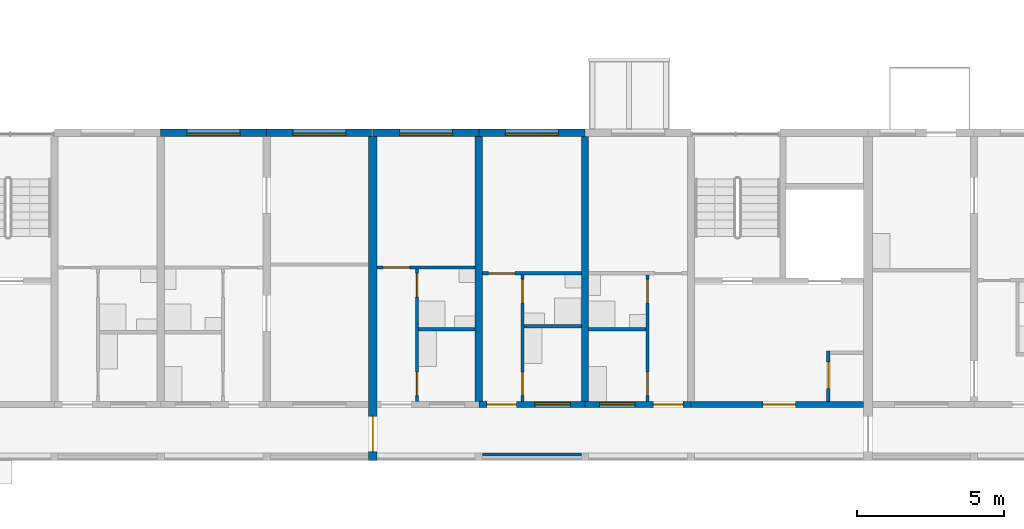
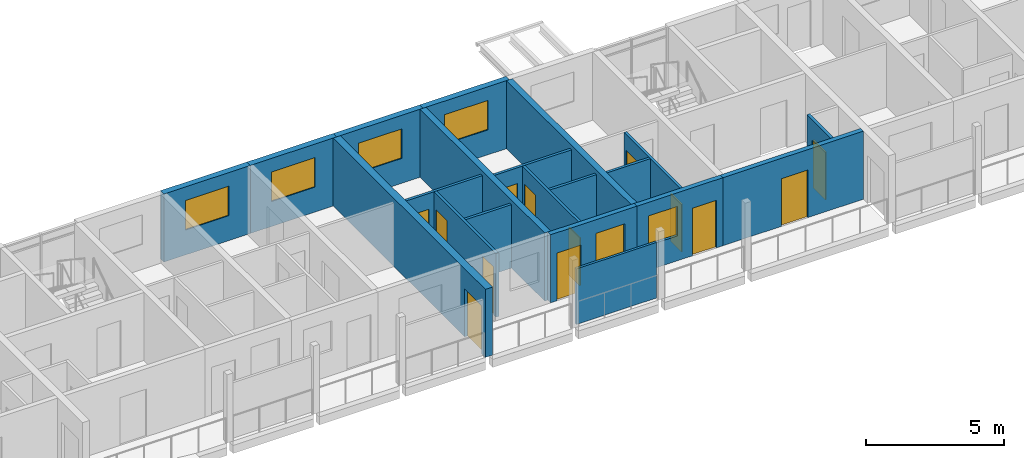
# One storey, part 49 of 100: 20 walls, 13 doors, 6 windows, 19 openings.
"""IFC4 building model written with IfcOpenShell, lengths in metres."""

from ifc_helpers import new_model, si_unit, direction, frame, frame_2d, origin, place, context, subcontext, project, spatial, rectangle, extrude, material, layer, layer_set, type_object, element, fill, save


model = new_model("IFC4")

# Units and contexts
model_context = context("Model", 3, precision=1e-05, world=origin(), true_north=direction((0.0, 1.0)))
body_context = subcontext(model_context, "Body", "Model", "MODEL_VIEW")
ifc_project = project(units=[si_unit("LENGTHUNIT", "METRE"), si_unit("AREAUNIT", "SQUARE_METRE"), si_unit("VOLUMEUNIT", "CUBIC_METRE"), si_unit("PLANEANGLEUNIT", "RADIAN"), si_unit("MASSUNIT", "GRAM", prefix="KILO")], contexts=[model_context])

# Site, building, storey
site_placement = place(None, origin())
site = spatial("IfcSite", under=ifc_project, at=site_placement, CompositionType="ELEMENT")
building_placement = place(site_placement, origin())
building = spatial("IfcBuilding", under=site, at=building_placement, Name="Ridgestep Commons", CompositionType="ELEMENT")
storey_placement = place(building_placement, frame((0.0, 0.0, 9.0)))
storey = spatial("IfcBuildingStorey", under=building, at=storey_placement, Name="L03", CompositionType="ELEMENT", Elevation=9.0)

# Wall, opening, door
ifc_material_1 = material(Name="Concrete C30/37", Category="concrete")
ifc_layer_1 = layer(ifc_material_1, 0.199951171875)
ifc_layer_set_1 = layer_set([ifc_layer_1], Name="Core south wall 200")
wall_type_1 = type_object("IfcWallType", Name="Core south wall 200", PredefinedType="SHEAR", material=ifc_layer_set_1)
wall_1_placement = place(storey_placement, frame((191.199951171875, 13.64990234375, 0.0), z_axis=(0.0, 0.0, 1.0), x_axis=(1.0, 0.0, 0.0)))
wall_1 = element("IfcWall", 1, at=wall_1_placement, inside=storey, type_object=wall_type_1, Name="Core south wall D3C L03", PredefinedType="SHEAR", context=body_context, shape_type="SweptSolid", body=[
    extrude(rectangle(XDim=5.85009765625, YDim=0.199951171875, at=frame_2d((2.925048828125, 0.0))), origin(), (0.0, 0.0, 1.0), 3.0),
])
opening_1_placement = place(wall_1_placement, frame((2.4375, 0.0, 0.0)))
opening_1 = element("IfcOpeningElement", 2, at=opening_1_placement, cuts=wall_1, Name="Opening D3C/03/1", PredefinedType="OPENING", context=body_context, shape_type="SweptSolid", body=[
    extrude(rectangle(XDim=1.10009765625, YDim=2.10009765625, at=frame_2d((0.550048828125, 1.050048828125))), frame((0.0, 0.10986328125, 0.0), z_axis=(0.0, -1.0, 0.0), x_axis=(1.0, 0.0, 0.0)), (0.0, 0.0, 1.0), 0.219970703125),
])
ifc_material_2 = material(Name="Steel fire door", Category="steel")
door_type_1 = type_object("IfcDoorType", Name="Lobby door 1100 x 2100 FD60", OperationType="NOTDEFINED", PredefinedType="DOOR", material=ifc_material_2)
door_1_placement = place(opening_1_placement, origin())
door_1 = element("IfcDoor", 3, at=door_1_placement, inside=storey, type_object=door_type_1, Name="Lobby door D3C/03/1", OperationType="SINGLE_SWING_LEFT", OverallHeight=2.10009765625, OverallWidth=1.10009765625, PredefinedType="DOOR", context=body_context, shape_type="SweptSolid", body=[
    extrude(rectangle(XDim=1.10009765625, YDim=2.10009765625, at=frame_2d((0.550048828125, 1.050048828125))), frame((0.0, 0.02490234375, 0.0), z_axis=(0.0, -1.0, 0.0), x_axis=(1.0, 0.0, 0.0)), (0.0, 0.0, 1.0), 0.050048828125),
])
fill(opening_1, door_1)

ifc_material_3 = material(Name="Concrete C30/37", Category="concrete")
ifc_layer_2 = layer(ifc_material_3, 0.1201171875)
ifc_layer_set_2 = layer_set([ifc_layer_2], Name="Core wall 120")
wall_type_2 = type_object("IfcWallType", Name="Core wall 120", PredefinedType="SHEAR", material=ifc_layer_set_2)
wall_2_placement = place(storey_placement, frame((195.860107421875, 13.75, 0.0), z_axis=(0.0, 0.0, 1.0), x_axis=(0.0, 1.0, 0.0)))
wall_2 = element("IfcWall", 4, at=wall_2_placement, inside=storey, type_object=wall_type_2, Name="Core riser w wall D3C L03", PredefinedType="SHEAR", context=body_context, shape_type="SweptSolid", body=[
    extrude(rectangle(XDim=1.719970703125, YDim=0.1201171875, at=frame_2d((0.85986328125, 0.0))), origin(), (0.0, 0.0, 1.0), 3.0),
])
opening_2_placement = place(wall_2_placement, frame((0.449951171875, 0.0, 0.0)))
opening_2 = element("IfcOpeningElement", 5, at=opening_2_placement, cuts=wall_2, Name="Opening D3C/03/4", PredefinedType="OPENING", context=body_context, shape_type="SweptSolid", body=[
    extrude(rectangle(XDim=0.89990234375, YDim=2.10009765625, at=frame_2d((0.449951171875, 1.050048828125))), frame((0.0, 0.070068359375, 0.0), z_axis=(0.0, -1.0, 0.0), x_axis=(1.0, 0.0, 0.0)), (0.0, 0.0, 1.0), 0.14013671875),
])
ifc_material_4 = material(Name="Steel fire door", Category="steel")
door_type_2 = type_object("IfcDoorType", Name="Riser door 900 x 2100 FD60", OperationType="NOTDEFINED", PredefinedType="DOOR", material=ifc_material_4)
door_2_placement = place(opening_2_placement, origin())
door_2 = element("IfcDoor", 6, at=door_2_placement, inside=storey, type_object=door_type_2, Name="Riser door D3C/03/4", OperationType="SINGLE_SWING_LEFT", OverallHeight=2.10009765625, OverallWidth=0.89990234375, PredefinedType="DOOR", context=body_context, shape_type="SweptSolid", body=[
    extrude(rectangle(XDim=0.89990234375, YDim=2.10009765625, at=frame_2d((0.449951171875, 1.050048828125))), frame((0.0, 0.02490234375, 0.0), z_axis=(0.0, -1.0, 0.0), x_axis=(1.0, 0.0, 0.0)), (0.0, 0.0, 1.0), 0.050048828125),
])
fill(opening_2, door_2)

# Walls
ifc_material_5 = material(Name="Precast concrete C40/50", Category="concrete")
ifc_layer_3 = layer(ifc_material_5, 0.25)
ifc_layer_set_3 = layer_set([ifc_layer_3], Name="Cross wall 250")
wall_type_3 = type_object("IfcWallType", Name="Cross wall 250", PredefinedType="SHEAR", material=ifc_layer_set_3)
for number, where, z_axis, x_axis, name in (
    (7, (184.0, 13.75, 0.0), (0.0, 0.0, 1.0), (0.0, 1.0, 0.0), "Cross wall D-03-1840"),
    (8, (187.60009765625, 13.75, 0.0), (0.0, 0.0, 1.0), (0.0, 1.0, 0.0), "Cross wall D-03-1876"),
):
    element("IfcWall", number, at=place(storey_placement, frame(where, z_axis=z_axis, x_axis=x_axis)), inside=storey, type_object=wall_type_3, Name=name, PredefinedType="SHEAR", context=body_context, shape_type="SweptSolid", body=[
        extrude(rectangle(XDim=9.0, YDim=0.25, at=frame_2d((4.5, 0.0))), origin(), (0.0, 0.0, 1.0), 3.0),
    ])

# Wall, opening, door
ifc_material_6 = material(Name="Precast concrete C40/50", Category="concrete")
ifc_layer_4 = layer(ifc_material_6, 0.300048828125)
ifc_layer_set_4 = layer_set([ifc_layer_4], Name="Division wall 300")
wall_type_4 = type_object("IfcWallType", Name="Division wall 300", PredefinedType="SHEAR", material=ifc_layer_set_4)
wall_3_placement = place(storey_placement, frame((180.39990234375, 11.75, 0.0), z_axis=(0.0, 0.0, 1.0), x_axis=(0.0, 1.0, 0.0)))
wall_3 = element("IfcWall", 9, at=wall_3_placement, inside=storey, type_object=wall_type_4, Name="Cross wall D-03-1804", PredefinedType="SHEAR", context=body_context, shape_type="SweptSolid", body=[
    extrude(rectangle(XDim=11.0, YDim=0.300048828125, at=frame_2d((5.5, 0.0))), origin(), (0.0, 0.0, 1.0), 3.0),
])
opening_3_placement = place(wall_3_placement, frame((0.300048828125, 0.0, 0.0)))
opening_3 = element("IfcOpeningElement", 10, at=opening_3_placement, cuts=wall_3, Name="Opening D/03/G1804", PredefinedType="OPENING", context=body_context, shape_type="SweptSolid", body=[
    extrude(rectangle(XDim=1.199951171875, YDim=2.10009765625, at=frame_2d((0.60009765625, 1.050048828125))), frame((0.0, 0.159912109375, 0.0), z_axis=(0.0, -1.0, 0.0), x_axis=(1.0, 0.0, 0.0)), (0.0, 0.0, 1.0), 0.320068359375),
])
ifc_material_7 = material(Name="Steel fire door", Category="steel")
door_type_3 = type_object("IfcDoorType", Name="Division fire door 1200 x 2100 EI 240", OperationType="DOUBLE_DOOR_SINGLE_SWING", PredefinedType="DOOR", material=ifc_material_7)
door_3_placement = place(opening_3_placement, origin())
door_3 = element("IfcDoor", 11, at=door_3_placement, inside=storey, type_object=door_type_3, Name="Division fire door D/03/G1804", OperationType="DOUBLE_DOOR_SINGLE_SWING", OverallHeight=2.10009765625, OverallWidth=1.199951171875, PredefinedType="DOOR", context=body_context, shape_type="SweptSolid", body=[
    extrude(rectangle(XDim=1.199951171875, YDim=2.10009765625, at=frame_2d((0.60009765625, 1.050048828125))), frame((0.0, 0.02490234375, 0.0), z_axis=(0.0, -1.0, 0.0), x_axis=(1.0, 0.0, 0.0)), (0.0, 0.0, 1.0), 0.050048828125),
])
fill(opening_3, door_3)

# Wall, opening, window
ifc_material_8 = material(Name="Precast concrete C40/50", Category="concrete")
ifc_layer_5 = layer(ifc_material_8, 0.25)
ifc_layer_set_5 = layer_set([ifc_layer_5], Name="North facade panel 250")
wall_type_5 = type_object("IfcWallType", Name="North facade panel 250", PredefinedType="SOLIDWALL", material=ifc_layer_set_5)
wall_4_placement = place(storey_placement, frame((173.199951171875, 22.875, 0.0), z_axis=(0.0, 0.0, 1.0), x_axis=(1.0, 0.0, 0.0)))
wall_4 = element("IfcWall", 12, at=wall_4_placement, inside=storey, type_object=wall_type_5, Name="North panel D2T2 L03", PredefinedType="SOLIDWALL", context=body_context, shape_type="SweptSolid", body=[
    extrude(rectangle(XDim=3.60009765625, YDim=0.25, at=frame_2d((1.800048828125, 0.0))), origin(), (0.0, 0.0, 1.0), 3.0),
])
opening_4_placement = place(wall_4_placement, frame((0.89990234375, 0.0, 1.10009765625)))
opening_4 = element("IfcOpeningElement", 13, at=opening_4_placement, cuts=wall_4, Name="Opening W18", PredefinedType="OPENING", context=body_context, shape_type="SweptSolid", body=[
    extrude(rectangle(XDim=1.800048828125, YDim=1.300048828125, at=frame_2d((0.89990234375, 0.64990234375))), frame((0.0, 0.135009765625, 0.0), z_axis=(0.0, -1.0, 0.0), x_axis=(1.0, 0.0, 0.0)), (0.0, 0.0, 1.0), 0.27001953125),
])
ifc_material_9 = material(Name="Aluminium 6063-T6 and glass", Category="aluminium")
window_type_1 = type_object("IfcWindowType", Name="Flat window 1800 x 1300", PartitioningType="DOUBLE_PANEL_VERTICAL", PredefinedType="WINDOW", material=ifc_material_9)
window_1_placement = place(opening_4_placement, origin())
window_1 = element("IfcWindow", 14, at=window_1_placement, inside=storey, type_object=window_type_1, Name="Window D2-03a 4", OverallHeight=1.300048828125, OverallWidth=1.800048828125, PartitioningType="SINGLE_PANEL", PredefinedType="WINDOW", context=body_context, shape_type="SweptSolid", body=[
    extrude(rectangle(XDim=1.800048828125, YDim=1.300048828125, at=frame_2d((0.89990234375, 0.64990234375))), frame((0.0, -0.02490234375, 0.0), z_axis=(0.0, -1.0, 0.0), x_axis=(1.0, 0.0, 0.0)), (0.0, 0.0, 1.0), 0.06005859375),
])
fill(opening_4, window_1)

wall_5_placement = place(storey_placement, frame((176.800048828125, 22.875, 0.0), z_axis=(0.0, 0.0, 1.0), x_axis=(1.0, 0.0, 0.0)))
wall_5 = element("IfcWall", 15, at=wall_5_placement, inside=storey, type_object=wall_type_5, Name="North panel D2T1 L03", PredefinedType="SOLIDWALL", context=body_context, shape_type="SweptSolid", body=[
    extrude(rectangle(XDim=3.599853515625, YDim=0.25, at=frame_2d((1.7998046875, 0.0))), origin(), (0.0, 0.0, 1.0), 3.0),
])
opening_5_placement = place(wall_5_placement, frame((0.887451171875, 0.0, 1.10009765625)))
opening_5 = element("IfcOpeningElement", 16, at=opening_5_placement, cuts=wall_5, Name="Opening W18", PredefinedType="OPENING", context=body_context, shape_type="SweptSolid", body=[
    extrude(rectangle(XDim=1.800048828125, YDim=1.300048828125, at=frame_2d((0.89990234375, 0.64990234375))), frame((0.0, 0.135009765625, 0.0), z_axis=(0.0, -1.0, 0.0), x_axis=(1.0, 0.0, 0.0)), (0.0, 0.0, 1.0), 0.27001953125),
])
window_2_placement = place(opening_5_placement, origin())
window_2 = element("IfcWindow", 17, at=window_2_placement, inside=storey, type_object=window_type_1, Name="Window D2-03a 2", OverallHeight=1.300048828125, OverallWidth=1.800048828125, PartitioningType="SINGLE_PANEL", PredefinedType="WINDOW", context=body_context, shape_type="SweptSolid", body=[
    extrude(rectangle(XDim=1.800048828125, YDim=1.300048828125, at=frame_2d((0.89990234375, 0.64990234375))), frame((0.0, -0.02490234375, 0.0), z_axis=(0.0, -1.0, 0.0), x_axis=(1.0, 0.0, 0.0)), (0.0, 0.0, 1.0), 0.06005859375),
])
fill(opening_5, window_2)

wall_6_placement = place(storey_placement, frame((180.39990234375, 22.875, 0.0), z_axis=(0.0, 0.0, 1.0), x_axis=(1.0, 0.0, 0.0)))
wall_6 = element("IfcWall", 18, at=wall_6_placement, inside=storey, type_object=wall_type_5, Name="North panel D3T1 L03", PredefinedType="SOLIDWALL", context=body_context, shape_type="SweptSolid", body=[
    extrude(rectangle(XDim=3.60009765625, YDim=0.25, at=frame_2d((1.800048828125, 0.0))), origin(), (0.0, 0.0, 1.0), 3.0),
])
opening_6_placement = place(wall_6_placement, frame((0.91259765625, 0.0, 1.10009765625)))
opening_6 = element("IfcOpeningElement", 19, at=opening_6_placement, cuts=wall_6, Name="Opening W18", PredefinedType="OPENING", context=body_context, shape_type="SweptSolid", body=[
    extrude(rectangle(XDim=1.800048828125, YDim=1.300048828125, at=frame_2d((0.89990234375, 0.64990234375))), frame((0.0, 0.135009765625, 0.0), z_axis=(0.0, -1.0, 0.0), x_axis=(1.0, 0.0, 0.0)), (0.0, 0.0, 1.0), 0.27001953125),
])
window_3_placement = place(opening_6_placement, origin())
window_3 = element("IfcWindow", 20, at=window_3_placement, inside=storey, type_object=window_type_1, Name="Window D3-03a 2", OverallHeight=1.300048828125, OverallWidth=1.800048828125, PartitioningType="SINGLE_PANEL", PredefinedType="WINDOW", context=body_context, shape_type="SweptSolid", body=[
    extrude(rectangle(XDim=1.800048828125, YDim=1.300048828125, at=frame_2d((0.89990234375, 0.64990234375))), frame((0.0, -0.02490234375, 0.0), z_axis=(0.0, -1.0, 0.0), x_axis=(1.0, 0.0, 0.0)), (0.0, 0.0, 1.0), 0.06005859375),
])
fill(opening_6, window_3)

wall_7_placement = place(storey_placement, frame((184.0, 22.875, 0.0), z_axis=(0.0, 0.0, 1.0), x_axis=(1.0, 0.0, 0.0)))
wall_7 = element("IfcWall", 21, at=wall_7_placement, inside=storey, type_object=wall_type_5, Name="North panel D3T2 L03", PredefinedType="SOLIDWALL", context=body_context, shape_type="SweptSolid", body=[
    extrude(rectangle(XDim=3.60009765625, YDim=0.25, at=frame_2d((1.800048828125, 0.0))), origin(), (0.0, 0.0, 1.0), 3.0),
])
opening_7_placement = place(wall_7_placement, frame((0.89990234375, 0.0, 1.10009765625)))
opening_7 = element("IfcOpeningElement", 22, at=opening_7_placement, cuts=wall_7, Name="Opening W18", PredefinedType="OPENING", context=body_context, shape_type="SweptSolid", body=[
    extrude(rectangle(XDim=1.800048828125, YDim=1.300048828125, at=frame_2d((0.89990234375, 0.64990234375))), frame((0.0, 0.135009765625, 0.0), z_axis=(0.0, -1.0, 0.0), x_axis=(1.0, 0.0, 0.0)), (0.0, 0.0, 1.0), 0.27001953125),
])
window_4_placement = place(opening_7_placement, origin())
window_4 = element("IfcWindow", 23, at=window_4_placement, inside=storey, type_object=window_type_1, Name="Window D3-03b 2", OverallHeight=1.300048828125, OverallWidth=1.800048828125, PartitioningType="SINGLE_PANEL", PredefinedType="WINDOW", context=body_context, shape_type="SweptSolid", body=[
    extrude(rectangle(XDim=1.800048828125, YDim=1.300048828125, at=frame_2d((0.89990234375, 0.64990234375))), frame((0.0, -0.02490234375, 0.0), z_axis=(0.0, -1.0, 0.0), x_axis=(1.0, 0.0, 0.0)), (0.0, 0.0, 1.0), 0.06005859375),
])
fill(opening_7, window_4)

# Wall, openings, doors
ifc_material_10 = material(Name="Common brick 110 mm", Category="masonry")
ifc_layer_6 = layer(ifc_material_10, 0.110107421875)
ifc_layer_set_6 = layer_set([ifc_layer_6], Name="Partition 110")
wall_type_6 = type_object("IfcWallType", Name="Partition 110", PredefinedType="PARTITIONING", material=ifc_layer_set_6)
wall_8_placement = place(storey_placement, frame((181.905029296875, 13.75, 0.0), z_axis=(0.0, 0.0, 1.0), x_axis=(0.0, 1.0, 0.0)))
wall_8 = element("IfcWall", 24, at=wall_8_placement, inside=storey, type_object=wall_type_6, Name="Partition D3-03a", PredefinedType="PARTITIONING", context=body_context, shape_type="SweptSolid", body=[
    extrude(rectangle(XDim=4.5, YDim=0.110107421875, at=frame_2d((2.25, 0.0))), origin(), (0.0, 0.0, 1.0), 2.800048828125),
])
opening_8_placement = place(wall_8_placement, frame((0.199951171875, 0.0, 0.0)))
opening_8 = element("IfcOpeningElement", 25, at=opening_8_placement, cuts=wall_8, Name="Opening D3-03a/2", PredefinedType="OPENING", context=body_context, shape_type="SweptSolid", body=[
    extrude(rectangle(XDim=0.800048828125, YDim=2.10009765625, at=frame_2d((0.39990234375, 1.050048828125))), frame((0.0, 0.06494140625, 0.0), z_axis=(0.0, -1.0, 0.0), x_axis=(1.0, 0.0, 0.0)), (0.0, 0.0, 1.0), 0.130126953125),
])
opening_9_placement = place(wall_8_placement, frame((3.550048828125, 0.0, 0.0)))
opening_9 = element("IfcOpeningElement", 26, at=opening_9_placement, cuts=wall_8, Name="Opening D3-03a/3", PredefinedType="OPENING", context=body_context, shape_type="SweptSolid", body=[
    extrude(rectangle(XDim=0.800048828125, YDim=2.10009765625, at=frame_2d((0.39990234375, 1.050048828125))), frame((0.0, 0.06494140625, 0.0), z_axis=(0.0, -1.0, 0.0), x_axis=(1.0, 0.0, 0.0)), (0.0, 0.0, 1.0), 0.130126953125),
])
ifc_material_11 = material(Name="Timber door leaf", Category="wood")
door_type_4 = type_object("IfcDoorType", Name="Internal door 800 x 2100", OperationType="NOTDEFINED", PredefinedType="DOOR", material=ifc_material_11)
door_4_placement = place(opening_8_placement, origin())
door_4 = element("IfcDoor", 27, at=door_4_placement, inside=storey, type_object=door_type_4, Name="Internal door D3-03a/2", OperationType="SINGLE_SWING_RIGHT", OverallHeight=2.10009765625, OverallWidth=0.800048828125, PredefinedType="DOOR", context=body_context, shape_type="SweptSolid", body=[
    extrude(rectangle(XDim=0.800048828125, YDim=2.10009765625, at=frame_2d((0.39990234375, 1.050048828125))), frame((0.0, 0.02490234375, 0.0), z_axis=(0.0, -1.0, 0.0), x_axis=(1.0, 0.0, 0.0)), (0.0, 0.0, 1.0), 0.050048828125),
])
fill(opening_8, door_4)
door_5_placement = place(opening_9_placement, origin())
door_5 = element("IfcDoor", 28, at=door_5_placement, inside=storey, type_object=door_type_4, Name="Internal door D3-03a/3", OperationType="SINGLE_SWING_LEFT", OverallHeight=2.10009765625, OverallWidth=0.800048828125, PredefinedType="DOOR", context=body_context, shape_type="SweptSolid", body=[
    extrude(rectangle(XDim=0.800048828125, YDim=2.10009765625, at=frame_2d((0.39990234375, 1.050048828125))), frame((0.0, 0.02490234375, 0.0), z_axis=(0.0, -1.0, 0.0), x_axis=(1.0, 0.0, 0.0)), (0.0, 0.0, 1.0), 0.050048828125),
])
fill(opening_9, door_5)

# Wall
wall_9_placement = place(storey_placement, frame((181.9599609375, 16.205078125, 0.0), z_axis=(0.0, 0.0, 1.0), x_axis=(1.0, 0.0, 0.0)))
element("IfcWall", 29, at=wall_9_placement, inside=storey, type_object=wall_type_6, Name="Partition D3-03a", PredefinedType="PARTITIONING", context=body_context, shape_type="SweptSolid", body=[
    extrude(rectangle(XDim=1.9150390625, YDim=0.110107421875, at=frame_2d((0.95751953125, 0.0))), origin(), (0.0, 0.0, 1.0), 2.800048828125),
])

# Wall, opening, door
wall_10_placement = place(storey_placement, frame((180.550048828125, 18.304931640625, 0.0), z_axis=(0.0, 0.0, 1.0), x_axis=(1.0, 0.0, 0.0)))
wall_10 = element("IfcWall", 30, at=wall_10_placement, inside=storey, type_object=wall_type_6, Name="Partition D3-03a", PredefinedType="PARTITIONING", context=body_context, shape_type="SweptSolid", body=[
    extrude(rectangle(XDim=3.324951171875, YDim=0.110107421875, at=frame_2d((1.66259765625, 0.0))), origin(), (0.0, 0.0, 1.0), 2.800048828125),
])
opening_10_placement = place(wall_10_placement, frame((0.199951171875, 0.0, 0.0)))
opening_10 = element("IfcOpeningElement", 31, at=opening_10_placement, cuts=wall_10, Name="Opening D3-03a/4", PredefinedType="OPENING", context=body_context, shape_type="SweptSolid", body=[
    extrude(rectangle(XDim=0.89990234375, YDim=2.10009765625, at=frame_2d((0.449951171875, 1.050048828125))), frame((0.0, 0.06494140625, 0.0), z_axis=(0.0, -1.0, 0.0), x_axis=(1.0, 0.0, 0.0)), (0.0, 0.0, 1.0), 0.130126953125),
])
ifc_material_12 = material(Name="Timber door leaf", Category="wood")
door_type_5 = type_object("IfcDoorType", Name="Internal door 900 x 2100", OperationType="NOTDEFINED", PredefinedType="DOOR", material=ifc_material_12)
door_6_placement = place(opening_10_placement, origin())
door_6 = element("IfcDoor", 32, at=door_6_placement, inside=storey, type_object=door_type_5, Name="Internal door D3-03a/4", OperationType="SINGLE_SWING_LEFT", OverallHeight=2.10009765625, OverallWidth=0.89990234375, PredefinedType="DOOR", context=body_context, shape_type="SweptSolid", body=[
    extrude(rectangle(XDim=0.89990234375, YDim=2.10009765625, at=frame_2d((0.449951171875, 1.050048828125))), frame((0.0, 0.02490234375, 0.0), z_axis=(0.0, -1.0, 0.0), x_axis=(1.0, 0.0, 0.0)), (0.0, 0.0, 1.0), 0.050048828125),
])
fill(opening_10, door_6)

# Wall, openings, doors
wall_11_placement = place(storey_placement, frame((185.47998046875, 13.75, 0.0), z_axis=(0.0, 0.0, 1.0), x_axis=(0.0, 1.0, 0.0)))
wall_11 = element("IfcWall", 33, at=wall_11_placement, inside=storey, type_object=wall_type_6, Name="Partition D3-03b", PredefinedType="PARTITIONING", context=body_context, shape_type="SweptSolid", body=[
    extrude(rectangle(XDim=4.300048828125, YDim=0.110107421875, at=frame_2d((2.14990234375, 0.0))), origin(), (0.0, 0.0, 1.0), 2.800048828125),
])
opening_11_placement = place(wall_11_placement, frame((0.199951171875, 0.0, 0.0)))
opening_11 = element("IfcOpeningElement", 34, at=opening_11_placement, cuts=wall_11, Name="Opening D3-03b/2", PredefinedType="OPENING", context=body_context, shape_type="SweptSolid", body=[
    extrude(rectangle(XDim=0.800048828125, YDim=2.10009765625, at=frame_2d((0.39990234375, 1.050048828125))), frame((0.0, 0.06494140625, 0.0), z_axis=(0.0, -1.0, 0.0), x_axis=(1.0, 0.0, 0.0)), (0.0, 0.0, 1.0), 0.130126953125),
])
opening_12_placement = place(wall_11_placement, frame((3.35009765625, 0.0, 0.0)))
opening_12 = element("IfcOpeningElement", 35, at=opening_12_placement, cuts=wall_11, Name="Opening D3-03b/3", PredefinedType="OPENING", context=body_context, shape_type="SweptSolid", body=[
    extrude(rectangle(XDim=0.800048828125, YDim=2.10009765625, at=frame_2d((0.39990234375, 1.050048828125))), frame((0.0, 0.06494140625, 0.0), z_axis=(0.0, -1.0, 0.0), x_axis=(1.0, 0.0, 0.0)), (0.0, 0.0, 1.0), 0.130126953125),
])
door_7_placement = place(opening_11_placement, origin())
door_7 = element("IfcDoor", 36, at=door_7_placement, inside=storey, type_object=door_type_4, Name="Internal door D3-03b/2", OperationType="SINGLE_SWING_RIGHT", OverallHeight=2.10009765625, OverallWidth=0.800048828125, PredefinedType="DOOR", context=body_context, shape_type="SweptSolid", body=[
    extrude(rectangle(XDim=0.800048828125, YDim=2.10009765625, at=frame_2d((0.39990234375, 1.050048828125))), frame((0.0, 0.02490234375, 0.0), z_axis=(0.0, -1.0, 0.0), x_axis=(1.0, 0.0, 0.0)), (0.0, 0.0, 1.0), 0.050048828125),
])
fill(opening_11, door_7)
door_8_placement = place(opening_12_placement, origin())
door_8 = element("IfcDoor", 37, at=door_8_placement, inside=storey, type_object=door_type_4, Name="Internal door D3-03b/3", OperationType="SINGLE_SWING_LEFT", OverallHeight=2.10009765625, OverallWidth=0.800048828125, PredefinedType="DOOR", context=body_context, shape_type="SweptSolid", body=[
    extrude(rectangle(XDim=0.800048828125, YDim=2.10009765625, at=frame_2d((0.39990234375, 1.050048828125))), frame((0.0, 0.02490234375, 0.0), z_axis=(0.0, -1.0, 0.0), x_axis=(1.0, 0.0, 0.0)), (0.0, 0.0, 1.0), 0.050048828125),
])
fill(opening_12, door_8)

# Wall
wall_12_placement = place(storey_placement, frame((185.534912109375, 16.304931640625, 0.0), z_axis=(0.0, 0.0, 1.0), x_axis=(1.0, 0.0, 0.0)))
element("IfcWall", 38, at=wall_12_placement, inside=storey, type_object=wall_type_6, Name="Partition D3-03b", PredefinedType="PARTITIONING", context=body_context, shape_type="SweptSolid", body=[
    extrude(rectangle(XDim=1.940185546875, YDim=0.110107421875, at=frame_2d((0.97021484375, 0.0))), origin(), (0.0, 0.0, 1.0), 2.800048828125),
])

# Wall, opening, door
wall_13_placement = place(storey_placement, frame((184.125, 18.10498046875, 0.0), z_axis=(0.0, 0.0, 1.0), x_axis=(1.0, 0.0, 0.0)))
wall_13 = element("IfcWall", 39, at=wall_13_placement, inside=storey, type_object=wall_type_6, Name="Partition D3-03b", PredefinedType="PARTITIONING", context=body_context, shape_type="SweptSolid", body=[
    extrude(rectangle(XDim=3.35009765625, YDim=0.110107421875, at=frame_2d((1.675048828125, 0.0))), origin(), (0.0, 0.0, 1.0), 2.800048828125),
])
opening_13_placement = place(wall_13_placement, frame((0.199951171875, 0.0, 0.0)))
opening_13 = element("IfcOpeningElement", 40, at=opening_13_placement, cuts=wall_13, Name="Opening D3-03b/4", PredefinedType="OPENING", context=body_context, shape_type="SweptSolid", body=[
    extrude(rectangle(XDim=0.89990234375, YDim=2.10009765625, at=frame_2d((0.449951171875, 1.050048828125))), frame((0.0, 0.06494140625, 0.0), z_axis=(0.0, -1.0, 0.0), x_axis=(1.0, 0.0, 0.0)), (0.0, 0.0, 1.0), 0.130126953125),
])
door_9_placement = place(opening_13_placement, origin())
door_9 = element("IfcDoor", 41, at=door_9_placement, inside=storey, type_object=door_type_5, Name="Internal door D3-03b/4", OperationType="SINGLE_SWING_LEFT", OverallHeight=2.10009765625, OverallWidth=0.89990234375, PredefinedType="DOOR", context=body_context, shape_type="SweptSolid", body=[
    extrude(rectangle(XDim=0.89990234375, YDim=2.10009765625, at=frame_2d((0.449951171875, 1.050048828125))), frame((0.0, 0.02490234375, 0.0), z_axis=(0.0, -1.0, 0.0), x_axis=(1.0, 0.0, 0.0)), (0.0, 0.0, 1.0), 0.050048828125),
])
fill(opening_13, door_9)

# Wall
wall_14_placement = place(storey_placement, frame((187.72509765625, 16.205078125, 0.0), z_axis=(0.0, 0.0, 1.0), x_axis=(1.0, 0.0, 0.0)))
element("IfcWall", 42, at=wall_14_placement, inside=storey, type_object=wall_type_6, Name="Partition D3-03c", PredefinedType="PARTITIONING", context=body_context, shape_type="SweptSolid", body=[
    extrude(rectangle(XDim=1.93994140625, YDim=0.110107421875, at=frame_2d((0.969970703125, 0.0))), origin(), (0.0, 0.0, 1.0), 2.800048828125),
])

# Wall, openings, doors
wall_15_placement = place(storey_placement, frame((189.719970703125, 13.75, 0.0), z_axis=(0.0, 0.0, 1.0), x_axis=(0.0, 1.0, 0.0)))
wall_15 = element("IfcWall", 43, at=wall_15_placement, inside=storey, type_object=wall_type_6, Name="Partition D3-03c", PredefinedType="PARTITIONING", context=body_context, shape_type="SweptSolid", body=[
    extrude(rectangle(XDim=4.300048828125, YDim=0.110107421875, at=frame_2d((2.14990234375, 0.0))), origin(), (0.0, 0.0, 1.0), 2.800048828125),
])
opening_14_placement = place(wall_15_placement, frame((0.199951171875, 0.0, 0.0)))
opening_14 = element("IfcOpeningElement", 44, at=opening_14_placement, cuts=wall_15, Name="Opening D3-03c/2", PredefinedType="OPENING", context=body_context, shape_type="SweptSolid", body=[
    extrude(rectangle(XDim=0.800048828125, YDim=2.10009765625, at=frame_2d((0.39990234375, 1.050048828125))), frame((0.0, 0.06494140625, 0.0), z_axis=(0.0, -1.0, 0.0), x_axis=(1.0, 0.0, 0.0)), (0.0, 0.0, 1.0), 0.130126953125),
])
opening_15_placement = place(wall_15_placement, frame((3.35009765625, 0.0, 0.0)))
opening_15 = element("IfcOpeningElement", 45, at=opening_15_placement, cuts=wall_15, Name="Opening D3-03c/3", PredefinedType="OPENING", context=body_context, shape_type="SweptSolid", body=[
    extrude(rectangle(XDim=0.800048828125, YDim=2.10009765625, at=frame_2d((0.39990234375, 1.050048828125))), frame((0.0, 0.06494140625, 0.0), z_axis=(0.0, -1.0, 0.0), x_axis=(1.0, 0.0, 0.0)), (0.0, 0.0, 1.0), 0.130126953125),
])
door_10_placement = place(opening_14_placement, origin())
door_10 = element("IfcDoor", 46, at=door_10_placement, inside=storey, type_object=door_type_4, Name="Internal door D3-03c/2", OperationType="SINGLE_SWING_LEFT", OverallHeight=2.10009765625, OverallWidth=0.800048828125, PredefinedType="DOOR", context=body_context, shape_type="SweptSolid", body=[
    extrude(rectangle(XDim=0.800048828125, YDim=2.10009765625, at=frame_2d((0.39990234375, 1.050048828125))), frame((0.0, 0.02490234375, 0.0), z_axis=(0.0, -1.0, 0.0), x_axis=(1.0, 0.0, 0.0)), (0.0, 0.0, 1.0), 0.050048828125),
])
fill(opening_14, door_10)
door_11_placement = place(opening_15_placement, origin())
door_11 = element("IfcDoor", 47, at=door_11_placement, inside=storey, type_object=door_type_4, Name="Internal door D3-03c/3", OperationType="SINGLE_SWING_RIGHT", OverallHeight=2.10009765625, OverallWidth=0.800048828125, PredefinedType="DOOR", context=body_context, shape_type="SweptSolid", body=[
    extrude(rectangle(XDim=0.800048828125, YDim=2.10009765625, at=frame_2d((0.39990234375, 1.050048828125))), frame((0.0, 0.02490234375, 0.0), z_axis=(0.0, -1.0, 0.0), x_axis=(1.0, 0.0, 0.0)), (0.0, 0.0, 1.0), 0.050048828125),
])
fill(opening_15, door_11)

# Wall
ifc_material_13 = material(Name="Precast concrete C30/37", Category="concrete")
ifc_layer_7 = layer(ifc_material_13, 0.10009765625)
ifc_layer_set_7 = layer_set([ifc_layer_7], Name="Perforated gallery screen 3350 x 2450 x 100")
wall_type_7 = type_object("IfcWallType", Name="Perforated gallery screen 3350 x 2450 x 100", PredefinedType="SOLIDWALL", material=ifc_layer_set_7)
wall_16_placement = place(storey_placement, frame((184.125, 11.949951171875, 0.0), z_axis=(0.0, 0.0, 1.0), x_axis=(1.0, 0.0, 0.0)))
element("IfcWall", 48, at=wall_16_placement, inside=storey, type_object=wall_type_7, Name="Gallery screen D3T2 03", PredefinedType="SOLIDWALL", context=body_context, shape_type="SweptSolid", body=[
    extrude(rectangle(XDim=3.35009765625, YDim=0.10009765625, at=frame_2d((1.675048828125, 0.0))), origin(), (0.0, 0.0, 1.0), 2.449951171875),
])

# Wall, openings, door, window
ifc_material_14 = material(Name="Precast concrete C40/50", Category="concrete")
ifc_layer_8 = layer(ifc_material_14, 0.199951171875)
ifc_layer_set_8 = layer_set([ifc_layer_8], Name="South facade panel 200")
wall_type_8 = type_object("IfcWallType", Name="South facade panel 200", PredefinedType="SOLIDWALL", material=ifc_layer_set_8)
wall_17_placement = place(storey_placement, frame((184.0, 13.64990234375, 0.0), z_axis=(0.0, 0.0, 1.0), x_axis=(1.0, 0.0, 0.0)))
wall_17 = element("IfcWall", 49, at=wall_17_placement, inside=storey, type_object=wall_type_8, Name="South panel D3T2 L03", PredefinedType="SOLIDWALL", context=body_context, shape_type="SweptSolid", body=[
    extrude(rectangle(XDim=3.60009765625, YDim=0.199951171875, at=frame_2d((1.800048828125, 0.0))), origin(), (0.0, 0.0, 1.0), 3.0),
])
opening_16_placement = place(wall_17_placement, frame((1.905029296875, 0.0, 1.10009765625)))
opening_16 = element("IfcOpeningElement", 50, at=opening_16_placement, cuts=wall_17, Name="Opening W08", PredefinedType="OPENING", context=body_context, shape_type="SweptSolid", body=[
    extrude(rectangle(XDim=1.199951171875, YDim=1.300048828125, at=frame_2d((0.60009765625, 0.64990234375))), frame((0.0, 0.10986328125, 0.0), z_axis=(0.0, -1.0, 0.0), x_axis=(1.0, 0.0, 0.0)), (0.0, 0.0, 1.0), 0.219970703125),
])
opening_17_placement = place(wall_17_placement, frame((0.27490234375, 0.0, 0.0)))
opening_17 = element("IfcOpeningElement", 51, at=opening_17_placement, cuts=wall_17, Name="Opening D3-03b/1", PredefinedType="OPENING", context=body_context, shape_type="SweptSolid", body=[
    extrude(rectangle(XDim=1.0, YDim=2.10009765625, at=frame_2d((0.5, 1.050048828125))), frame((0.0, 0.10986328125, 0.0), z_axis=(0.0, -1.0, 0.0), x_axis=(1.0, 0.0, 0.0)), (0.0, 0.0, 1.0), 0.219970703125),
])
ifc_material_15 = material(Name="Timber door leaf", Category="wood")
door_type_6 = type_object("IfcDoorType", Name="Flat entrance door 1000 x 2100 FD30S", OperationType="NOTDEFINED", PredefinedType="DOOR", material=ifc_material_15)
door_12_placement = place(opening_17_placement, origin())
door_12 = element("IfcDoor", 52, at=door_12_placement, inside=storey, type_object=door_type_6, Name="Flat entrance door D3-03b/1", OperationType="SINGLE_SWING_LEFT", OverallHeight=2.10009765625, OverallWidth=1.0, PredefinedType="DOOR", context=body_context, shape_type="SweptSolid", body=[
    extrude(rectangle(XDim=1.0, YDim=2.10009765625, at=frame_2d((0.5, 1.050048828125))), frame((0.0, 0.02490234375, 0.0), z_axis=(0.0, -1.0, 0.0), x_axis=(1.0, 0.0, 0.0)), (0.0, 0.0, 1.0), 0.050048828125),
])
fill(opening_17, door_12)
ifc_material_16 = material(Name="Aluminium 6063-T6 and glass", Category="aluminium")
window_type_2 = type_object("IfcWindowType", Name="Flat window 1200 x 1300", PartitioningType="SINGLE_PANEL", PredefinedType="WINDOW", material=ifc_material_16)
window_5_placement = place(opening_16_placement, origin())
window_5 = element("IfcWindow", 53, at=window_5_placement, inside=storey, type_object=window_type_2, Name="Window D3-03b 1", OverallHeight=1.300048828125, OverallWidth=1.199951171875, PartitioningType="SINGLE_PANEL", PredefinedType="WINDOW", context=body_context, shape_type="SweptSolid", body=[
    extrude(rectangle(XDim=1.199951171875, YDim=1.300048828125, at=frame_2d((0.60009765625, 0.64990234375))), frame((0.0, 0.06005859375, 0.0), z_axis=(0.0, -1.0, 0.0), x_axis=(1.0, 0.0, 0.0)), (0.0, 0.0, 1.0), 0.06005859375),
])
fill(opening_16, window_5)

wall_18_placement = place(storey_placement, frame((187.60009765625, 13.64990234375, 0.0), z_axis=(0.0, 0.0, 1.0), x_axis=(1.0, 0.0, 0.0)))
wall_18 = element("IfcWall", 54, at=wall_18_placement, inside=storey, type_object=wall_type_8, Name="South panel D3T3 L03", PredefinedType="SOLIDWALL", context=body_context, shape_type="SweptSolid", body=[
    extrude(rectangle(XDim=3.599853515625, YDim=0.199951171875, at=frame_2d((1.7998046875, 0.0))), origin(), (0.0, 0.0, 1.0), 3.0),
])
opening_18_placement = place(wall_18_placement, frame((0.4951171875, 0.0, 1.10009765625)))
opening_18 = element("IfcOpeningElement", 55, at=opening_18_placement, cuts=wall_18, Name="Opening W08", PredefinedType="OPENING", context=body_context, shape_type="SweptSolid", body=[
    extrude(rectangle(XDim=1.199951171875, YDim=1.300048828125, at=frame_2d((0.60009765625, 0.64990234375))), frame((0.0, 0.10986328125, 0.0), z_axis=(0.0, -1.0, 0.0), x_axis=(1.0, 0.0, 0.0)), (0.0, 0.0, 1.0), 0.219970703125),
])
opening_19_placement = place(wall_18_placement, frame((2.324951171875, 0.0, 0.0)))
opening_19 = element("IfcOpeningElement", 56, at=opening_19_placement, cuts=wall_18, Name="Opening D3-03c/1", PredefinedType="OPENING", context=body_context, shape_type="SweptSolid", body=[
    extrude(rectangle(XDim=1.0, YDim=2.10009765625, at=frame_2d((0.5, 1.050048828125))), frame((0.0, 0.10986328125, 0.0), z_axis=(0.0, -1.0, 0.0), x_axis=(1.0, 0.0, 0.0)), (0.0, 0.0, 1.0), 0.219970703125),
])
door_13_placement = place(opening_19_placement, origin())
door_13 = element("IfcDoor", 57, at=door_13_placement, inside=storey, type_object=door_type_6, Name="Flat entrance door D3-03c/1", OperationType="SINGLE_SWING_RIGHT", OverallHeight=2.10009765625, OverallWidth=1.0, PredefinedType="DOOR", context=body_context, shape_type="SweptSolid", body=[
    extrude(rectangle(XDim=1.0, YDim=2.10009765625, at=frame_2d((0.5, 1.050048828125))), frame((0.0, 0.02490234375, 0.0), z_axis=(0.0, -1.0, 0.0), x_axis=(1.0, 0.0, 0.0)), (0.0, 0.0, 1.0), 0.050048828125),
])
fill(opening_19, door_13)
window_6_placement = place(opening_18_placement, origin())
window_6 = element("IfcWindow", 58, at=window_6_placement, inside=storey, type_object=window_type_2, Name="Window D3-03c 1", OverallHeight=1.300048828125, OverallWidth=1.199951171875, PartitioningType="SINGLE_PANEL", PredefinedType="WINDOW", context=body_context, shape_type="SweptSolid", body=[
    extrude(rectangle(XDim=1.199951171875, YDim=1.300048828125, at=frame_2d((0.60009765625, 0.64990234375))), frame((0.0, 0.06005859375, 0.0), z_axis=(0.0, -1.0, 0.0), x_axis=(1.0, 0.0, 0.0)), (0.0, 0.0, 1.0), 0.06005859375),
])
fill(opening_18, window_6)

save(model, "model.ifc")
